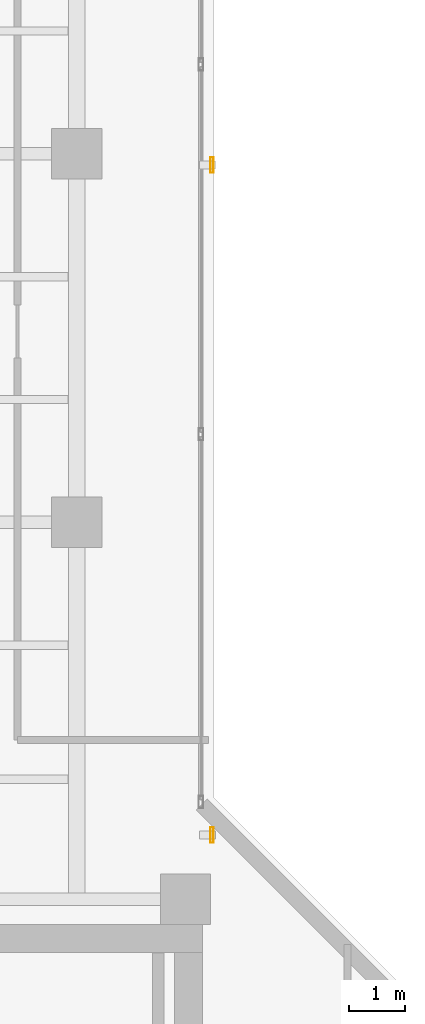
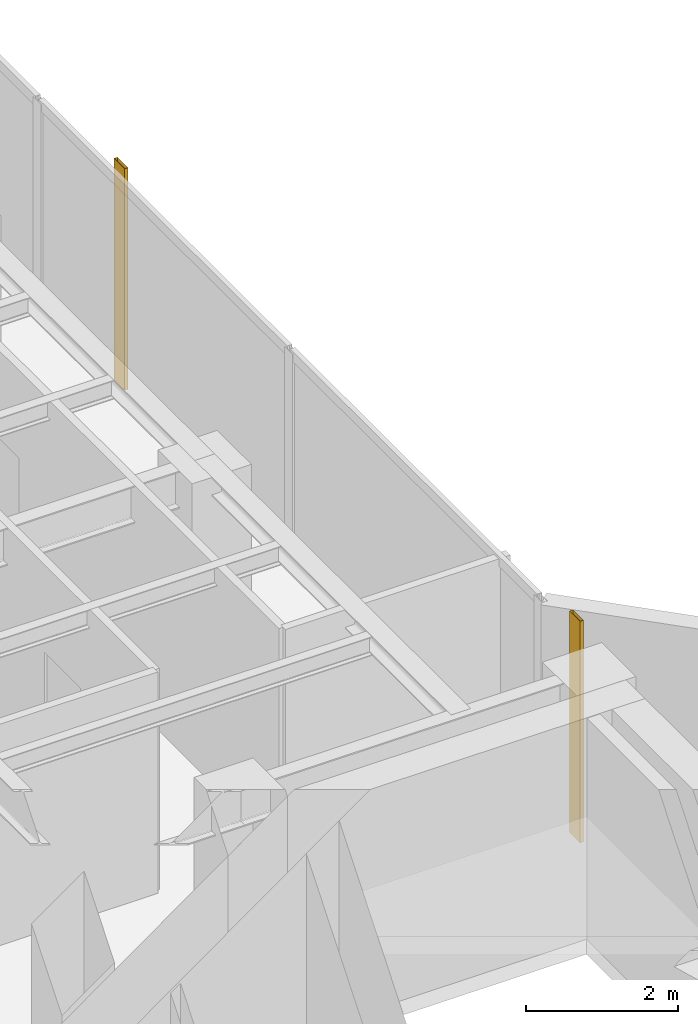
# One storey, part 22 of 22: 2 shading devices.
"""IFC4 building model written with IfcOpenShell, lengths in metres."""

from ifc_helpers import new_model, si_unit, direction, frame, origin, origin_2d, place, context, subcontext, project, spatial, hollow_rectangle, extrude, material, material_profile, profile_set, type_object, element, save


model = new_model("IFC4")

# Units and contexts
model_context = context("Model", 3, precision=1e-05, world=origin(), true_north=direction((0.0, 1.0)))
body_context = subcontext(model_context, "Body", "Model", "MODEL_VIEW")
ifc_project = project(units=[si_unit("LENGTHUNIT", "METRE"), si_unit("AREAUNIT", "SQUARE_METRE"), si_unit("VOLUMEUNIT", "CUBIC_METRE"), si_unit("PLANEANGLEUNIT", "RADIAN"), si_unit("MASSUNIT", "GRAM", prefix="KILO")], contexts=[model_context])

# Site, building, storey
site_placement = place(None, origin())
site = spatial("IfcSite", under=ifc_project, at=site_placement, CompositionType="ELEMENT")
building_placement = place(site_placement, origin())
building = spatial("IfcBuilding", under=site, at=building_placement, Name="Kolvaren Waterfront Exchange", CompositionType="ELEMENT")
storey_placement = place(building_placement, frame((0.0, 0.0, 312.199951171875)))
storey = spatial("IfcBuildingStorey", under=building, at=storey_placement, Name="L80", CompositionType="ELEMENT", Elevation=312.199951171875)

# Shading devices
ifc_material = material(Name="Anodised bronze aluminium 6063-T6", Category="aluminium")
ifc_material_profile = material_profile(ifc_material, hollow_rectangle(XDim=0.054931640625, YDim=0.280029296875, WallThickness=0.00439453125, at=origin_2d()), Name="BRZ-FIN-280x55x4.5")
ifc_profile_set = profile_set([ifc_material_profile], Name="Anodised bronze aluminium 6063-T6")
shading_device_type = type_object("IfcShadingDeviceType", Name="ARC-FIN-280", PredefinedType="USERDEFINED", material=ifc_profile_set)
for number, where, z_axis, x_axis, name in (
    (1, (21.22314453125, 25.60009765625, 0.0), (0.0, 0.0, 1.0), (1.0, 0.0, 0.0), "L80 anodised bronze solar shading fin FIN-L80-E2"),
    (2, (21.22314453125, 37.60009765625, 0.0), (0.0, 0.0, 1.0), (1.0, 0.0, 0.0), "L80 anodised bronze solar shading fin FIN-L80-E3"),
):
    element("IfcShadingDevice", number, at=place(storey_placement, frame(where, z_axis=z_axis, x_axis=x_axis)), inside=storey, type_object=shading_device_type, Name=name, ObjectType="SOLAR FIN", PredefinedType="USERDEFINED", context=body_context, shape_type="SweptSolid", body=[
        extrude(hollow_rectangle(XDim=0.054931640625, YDim=0.280029296875, WallThickness=0.00439453125, at=origin_2d()), origin(), (0.0, 0.0, 1.0), 3.56005859375),
    ])

save(model, "model.ifc")
